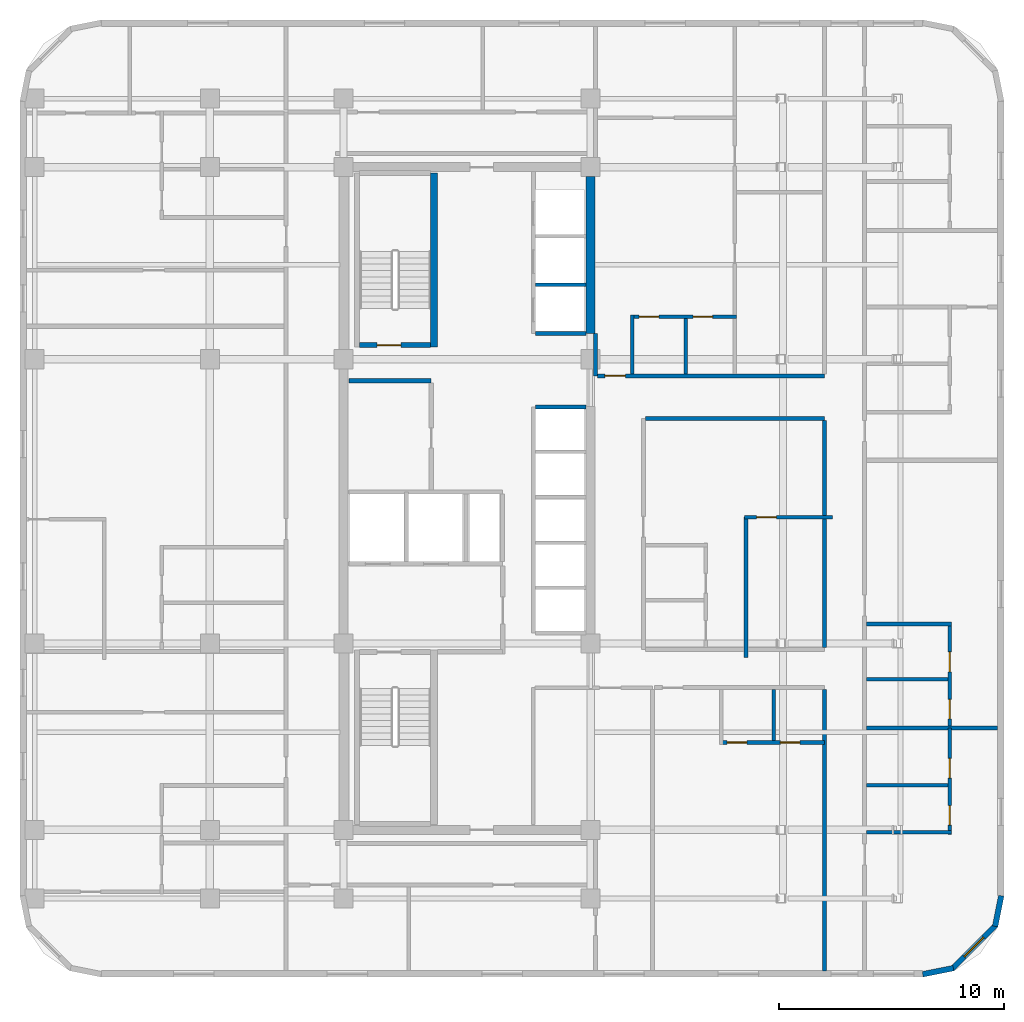
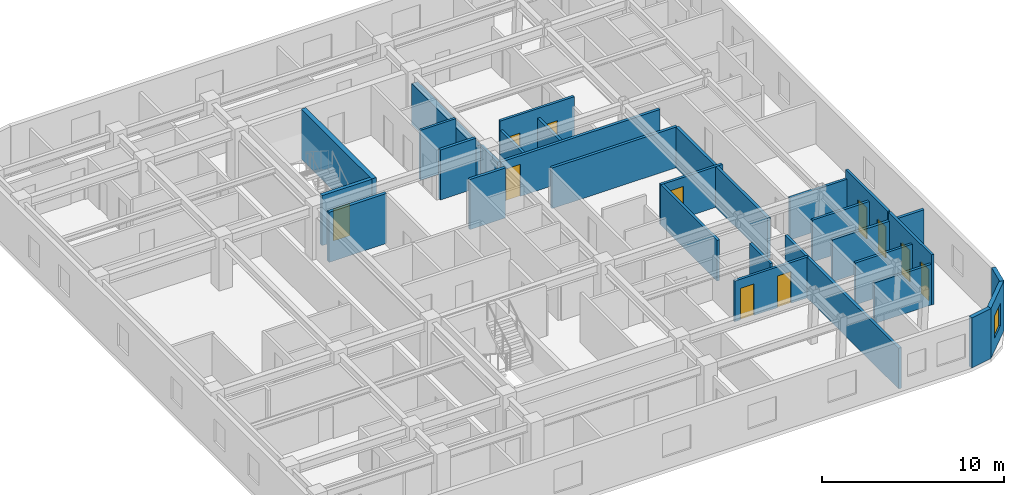
# One storey, part 5 of 9: 29 walls, 11 doors, 1 window, 12 openings.
"""IFC4 building model written with IfcOpenShell, lengths in metres."""

from ifc_helpers import new_model, si_unit, direction, frame, frame_2d, origin, place, context, subcontext, project, spatial, rectangle, extrude, material, layer, layer_set, type_object, element, fill, save


model = new_model("IFC4")

# Units and contexts
model_context = context("Model", 3, precision=1e-05, world=origin(), true_north=direction((0.0, 1.0)))
body_context = subcontext(model_context, "Body", "Model", "MODEL_VIEW")
ifc_project = project(units=[si_unit("LENGTHUNIT", "METRE"), si_unit("AREAUNIT", "SQUARE_METRE"), si_unit("VOLUMEUNIT", "CUBIC_METRE"), si_unit("PLANEANGLEUNIT", "RADIAN"), si_unit("MASSUNIT", "GRAM", prefix="KILO")], contexts=[model_context])

# Site, building, storey
site_placement = place(None, origin())
site = spatial("IfcSite", under=ifc_project, at=site_placement, CompositionType="ELEMENT")
building_placement = place(site_placement, origin())
building = spatial("IfcBuilding", under=site, at=building_placement, Name="Ochreholt Gables", CompositionType="ELEMENT")
storey_placement = place(building_placement, frame((0.0, 0.0, 106.199951171875)))
storey = spatial("IfcBuildingStorey", under=building, at=storey_placement, Name="L27", CompositionType="ELEMENT", Elevation=106.199951171875)

# Walls
ifc_material_1 = material(Name="Concrete 60 MPa", Category="concrete")
ifc_layer_1 = layer(ifc_material_1, 0.39990234375, Name="Concrete 60 MPa")
ifc_layer_set_1 = layer_set([ifc_layer_1], Name="Concrete 60 MPa")
wall_type_1 = type_object("IfcWallType", Name="WALL-CSW-400", PredefinedType="SHEAR", material=ifc_layer_set_1)
wall_1_placement = place(storey_placement, frame((35.199951171875, 31.35009765625, 0.0), z_axis=(0.0, 0.0, 1.0), x_axis=(0.0, 1.0, 0.0)))
element("IfcWall", 1, at=wall_1_placement, inside=storey, type_object=wall_type_1, Name="L27 Core North-East Shear Wall", PredefinedType="SHEAR", context=body_context, shape_type="SweptSolid", body=[
    extrude(rectangle(XDim=6.974853515625, YDim=0.39990234375, at=frame_2d((3.4873046875, 0.0))), origin(), (0.0, 0.0, 1.0), 2.7490234375),
])
ifc_material_2 = material(Name="Precast concrete 40 MPa", Category="concrete")
ifc_layer_2 = layer(ifc_material_2, 0.25, Name="Precast concrete 40 MPa")
ifc_layer_set_2 = layer_set([ifc_layer_2], Name="Precast concrete 40 MPa")
wall_type_2 = type_object("IfcWallType", Name="WALL-EXT-CNR", PredefinedType="SOLIDWALL", material=ifc_layer_set_2)
wall_2_placement = place(storey_placement, frame((49.9833984375, 2.82421875, 0.0), z_axis=(0.0, 0.0, 1.0), x_axis=(0.980809899341, 0.19496651342, 0.0)))
element("IfcWall", 2, at=wall_2_placement, inside=storey, type_object=wall_type_2, Name="L27 Rounded Corner Wall SE-1", PredefinedType="SOLIDWALL", context=body_context, shape_type="SweptSolid", body=[
    extrude(rectangle(XDim=1.388671875, YDim=0.25, at=frame_2d((0.6943359375, 0.0))), origin(), (0.0, 0.0, 1.0), 3.360107421875),
])

# Wall, opening, window
wall_3_placement = place(storey_placement, frame((51.294921875, 3.068115234375, 0.0), z_axis=(0.0, 0.0, 1.0), x_axis=(0.707151344399, 0.707062215165, 0.0)))
wall_3 = element("IfcWall", 3, at=wall_3_placement, inside=storey, type_object=wall_type_2, Name="L27 Rounded Corner Wall SE-2", PredefinedType="SOLIDWALL", context=body_context, shape_type="SweptSolid", body=[
    extrude(rectangle(XDim=2.7392578125, YDim=0.25, at=frame_2d((1.36962890625, 0.0))), origin(), (0.0, 0.0, 1.0), 3.360107421875),
])
opening_1_placement = place(wall_3_placement, frame((0.769775390625, 0.0, 0.85009765625)))
opening_1 = element("IfcOpeningElement", 4, at=opening_1_placement, cuts=wall_3, Name="Opening WN-3", PredefinedType="OPENING", context=body_context, shape_type="SweptSolid", body=[
    extrude(rectangle(XDim=1.199951171875, YDim=1.5, at=frame_2d((0.60009765625, 0.75))), frame((0.0, 0.135009765625, 0.0), z_axis=(0.0, -1.0, 0.0), x_axis=(1.0, 0.0, 0.0)), (0.0, 0.0, 1.0), 0.27001953125),
])
ifc_material_3 = material(Name="Triple-Glazed Thermally Broken Aluminium Window", Category="aluminium")
window_type = type_object("IfcWindowType", Name="WIN-RES-1200", PartitioningType="SINGLE_PANEL", PredefinedType="WINDOW", material=ifc_material_3)
window_placement = place(opening_1_placement, origin())
window = element("IfcWindow", 5, at=window_placement, inside=storey, type_object=window_type, Name="L27 Corner Bedroom Window SE", OverallHeight=1.5, OverallWidth=1.199951171875, PartitioningType="SINGLE_PANEL", PredefinedType="WINDOW", context=body_context, shape_type="SweptSolid", body=[
    extrude(rectangle(XDim=1.199951171875, YDim=1.5, at=frame_2d((0.60009765625, 0.75))), frame((0.0, 0.030029296875, 0.0), z_axis=(0.0, -1.0, 0.0), x_axis=(1.0, 0.0, 0.0)), (0.0, 0.0, 1.0), 0.06005859375),
])
fill(opening_1, window)

# Walls
wall_4_placement = place(storey_placement, frame((53.205078125, 4.95458984375, 0.0), z_axis=(0.0, 0.0, 1.0), x_axis=(0.195000137217, 0.980803214965, 0.0)))
element("IfcWall", 6, at=wall_4_placement, inside=storey, type_object=wall_type_2, Name="L27 Rounded Corner Wall SE-3", PredefinedType="SOLIDWALL", context=body_context, shape_type="SweptSolid", body=[
    extrude(rectangle(XDim=1.388427734375, YDim=0.25, at=frame_2d((0.6943359375, 0.0))), origin(), (0.0, 0.0, 1.0), 3.360107421875),
])
ifc_material_4 = material(Name="Concrete 40 MPa", Category="concrete")
ifc_layer_3 = layer(ifc_material_4, 0.199951171875, Name="Concrete 40 MPa")
ifc_layer_set_3 = layer_set([ifc_layer_3], Name="Concrete 40 MPa")
wall_type_3 = type_object("IfcWallType", Name="WALL-INT-CF200", PredefinedType="STANDARD", material=ifc_layer_set_3)
wall_5_placement = place(storey_placement, frame((24.449951171875, 29.239990234375, 0.0), z_axis=(0.0, 0.0, 1.0), x_axis=(1.0, 0.0, 0.0)))
element("IfcWall", 7, at=wall_5_placement, inside=storey, type_object=wall_type_3, Name="L27 Interior Wall WI-SRVN-L27", PredefinedType="STANDARD", context=body_context, shape_type="SweptSolid", body=[
    extrude(rectangle(XDim=3.650146484375, YDim=0.199951171875, at=frame_2d((1.8251953125, 0.0))), origin(), (0.0, 0.0, 1.0), 3.360107421875),
])
ifc_material_5 = material(Name="Fire-Rated Gypsum Acoustic Partition", Category="gypsum")
ifc_layer_4 = layer(ifc_material_5, 0.179931640625, Name="Fire-Rated Gypsum Acoustic Partition")
ifc_layer_set_4 = layer_set([ifc_layer_4], Name="Fire-Rated Gypsum Acoustic Partition")
wall_type_4 = type_object("IfcWallType", Name="WALL-INT-CR180", PredefinedType="STANDARD", material=ifc_layer_set_4)
wall_6_placement = place(storey_placement, frame((37.639892578125, 27.56005859375, 0.0), z_axis=(0.0, 0.0, 1.0), x_axis=(1.0, 0.0, 0.0)))
element("IfcWall", 8, at=wall_6_placement, inside=storey, type_object=wall_type_4, Name="L27 Interior Wall WI-C2SN1-L27", PredefinedType="STANDARD", context=body_context, shape_type="SweptSolid", body=[
    extrude(rectangle(XDim=7.960205078125, YDim=0.179931640625, at=frame_2d((3.97998046875, 0.0))), origin(), (0.0, 0.0, 1.0), 2.73095703125),
])
wall_7_placement = place(storey_placement, frame((35.419921875, 29.4599609375, 0.0), z_axis=(0.0, 0.0, 1.0), x_axis=(0.0, 1.0, 0.0)))
element("IfcWall", 9, at=wall_7_placement, inside=storey, type_object=wall_type_4, Name="L27 Interior Wall WI-C2NCL-L27", PredefinedType="STANDARD", context=body_context, shape_type="SweptSolid", body=[
    extrude(rectangle(XDim=1.89013671875, YDim=0.179931640625, at=frame_2d((0.945068359375, 0.0))), origin(), (0.0, 0.0, 1.0), 2.73095703125),
])

# Wall, opening, door
wall_8_placement = place(storey_placement, frame((35.510009765625, 29.4599609375, 0.0), z_axis=(0.0, 0.0, 1.0), x_axis=(1.0, 0.0, 0.0)))
wall_8 = element("IfcWall", 10, at=wall_8_placement, inside=storey, type_object=wall_type_4, Name="L27 Interior Wall WI-C2SN2-L27", PredefinedType="STANDARD", context=body_context, shape_type="SweptSolid", body=[
    extrude(rectangle(XDim=10.090087890625, YDim=0.179931640625, at=frame_2d((5.044921875, 0.0))), origin(), (0.0, 0.0, 1.0), 2.73095703125),
])
opening_2_placement = place(wall_8_placement, frame((0.320068359375, 0.0, 0.0)))
opening_2 = element("IfcOpeningElement", 11, at=opening_2_placement, cuts=wall_8, Name="Opening D-UN1", PredefinedType="OPENING", context=body_context, shape_type="SweptSolid", body=[
    extrude(rectangle(XDim=0.919921875, YDim=2.14990234375, at=frame_2d((0.4599609375, 1.074951171875))), frame((0.0, 0.099853515625, 0.0), z_axis=(0.0, -1.0, 0.0), x_axis=(1.0, 0.0, 0.0)), (0.0, 0.0, 1.0), 0.199951171875),
])
ifc_material_6 = material(Name="Engineered Oak Timber", Category="wood")
door_type_1 = type_object("IfcDoorType", Name="DR-INT-UNT920", OperationType="NOTDEFINED", PredefinedType="DOOR", material=ifc_material_6)
door_1_placement = place(opening_2_placement, origin())
door_1 = element("IfcDoor", 12, at=door_1_placement, inside=storey, type_object=door_type_1, Name="L27 Door D-U-L27N1-ENT", OperationType="SINGLE_SWING_LEFT", OverallHeight=2.14990234375, OverallWidth=0.919921875, PredefinedType="DOOR", context=body_context, shape_type="SweptSolid", body=[
    extrude(rectangle(XDim=0.919921875, YDim=2.14990234375, at=frame_2d((0.4599609375, 1.074951171875))), frame((0.0, 0.02490234375, 0.0), z_axis=(0.0, -1.0, 0.0), x_axis=(1.0, 0.0, 0.0)), (0.0, 0.0, 1.0), 0.050048828125),
])
fill(opening_2, door_1)

# Walls
wall_9_placement = place(storey_placement, frame((45.60009765625, 2.97998046875, 0.0), z_axis=(0.0, 0.0, 1.0), x_axis=(0.0, 1.0, 0.0)))
element("IfcWall", 13, at=wall_9_placement, inside=storey, type_object=wall_type_4, Name="L27 Interior Wall WI-C2FEGW1-L27", PredefinedType="STANDARD", context=body_context, shape_type="SweptSolid", body=[
    extrude(rectangle(XDim=12.510009765625, YDim=0.179931640625, at=frame_2d((6.2548828125, 0.0))), origin(), (0.0, 0.0, 1.0), 2.73095703125),
])
wall_10_placement = place(storey_placement, frame((45.60009765625, 17.3701171875, 0.0), z_axis=(0.0, 0.0, 1.0), x_axis=(0.0, 1.0, 0.0)))
element("IfcWall", 14, at=wall_10_placement, inside=storey, type_object=wall_type_4, Name="L27 Interior Wall WI-C2FEGW2-L27", PredefinedType="STANDARD", context=body_context, shape_type="SweptSolid", body=[
    extrude(rectangle(XDim=10.099853515625, YDim=0.179931640625, at=frame_2d((5.0498046875, 0.0))), origin(), (0.0, 0.0, 1.0), 2.73095703125),
])
ifc_material_7 = material(Name="Double-Stud Acoustic Demising Wall", Category="gypsum")
ifc_layer_5 = layer(ifc_material_7, 0.179931640625, Name="Double-Stud Acoustic Demising Wall")
ifc_layer_set_5 = layer_set([ifc_layer_5], Name="Double-Stud Acoustic Demising Wall")
wall_type_5 = type_object("IfcWallType", Name="WALL-INT-DM180", PredefinedType="PARTITIONING", material=ifc_layer_set_5)
wall_11_placement = place(storey_placement, frame((47.489990234375, 13.77587890625, 0.0), z_axis=(0.0, 0.0, 1.0), x_axis=(1.0, 0.0, 0.0)))
element("IfcWall", 15, at=wall_11_placement, inside=storey, type_object=wall_type_5, Name="L27 Interior Wall WI-C2FED2-L27", PredefinedType="PARTITIONING", context=body_context, shape_type="SweptSolid", body=[
    extrude(rectangle(XDim=5.830078125, YDim=0.179931640625, at=frame_2d((2.9150390625, 0.0))), origin(), (0.0, 0.0, 1.0), 2.80908203125),
])

# Wall, openings, doors
ifc_material_8 = material(Name="Moisture-Resistant Plumbing Chase Wall", Category="gypsum")
ifc_layer_6 = layer(ifc_material_8, 0.159912109375, Name="Moisture-Resistant Plumbing Chase Wall")
ifc_layer_set_6 = layer_set([ifc_layer_6], Name="Moisture-Resistant Plumbing Chase Wall")
wall_type_6 = type_object("IfcWallType", Name="WALL-INT-PL160", PredefinedType="PLUMBINGWALL", material=ifc_layer_set_6)
wall_12_placement = place(storey_placement, frame((40.929931640625, 13.139892578125, 0.0), z_axis=(0.0, 0.0, 1.0), x_axis=(1.0, 0.0, 0.0)))
wall_12 = element("IfcWall", 16, at=wall_12_placement, inside=storey, type_object=wall_type_6, Name="L27 Interior Wall WU-L27S1-WY", PredefinedType="PLUMBINGWALL", context=body_context, shape_type="SweptSolid", body=[
    extrude(rectangle(XDim=4.670166015625, YDim=0.159912109375, at=frame_2d((2.3349609375, 0.0))), origin(), (0.0, 0.0, 1.0), 2.73095703125),
])
opening_3_placement = place(wall_12_placement, frame((0.35009765625, 0.0, 0.0)))
opening_3 = element("IfcOpeningElement", 17, at=opening_3_placement, cuts=wall_12, Name="Opening D-GN2", PredefinedType="OPENING", context=body_context, shape_type="SweptSolid", body=[
    extrude(rectangle(XDim=0.8798828125, YDim=2.1201171875, at=frame_2d((0.43994140625, 1.06005859375))), frame((0.0, 0.08984375, 0.0), z_axis=(0.0, -1.0, 0.0), x_axis=(1.0, 0.0, 0.0)), (0.0, 0.0, 1.0), 0.179931640625),
])
opening_4_placement = place(wall_12_placement, frame((2.719970703125, 0.0, 0.0)))
opening_4 = element("IfcOpeningElement", 18, at=opening_4_placement, cuts=wall_12, Name="Opening D-BT1", PredefinedType="OPENING", context=body_context, shape_type="SweptSolid", body=[
    extrude(rectangle(XDim=0.860107421875, YDim=2.1201171875, at=frame_2d((0.43017578125, 1.06005859375))), frame((0.0, 0.08984375, 0.0), z_axis=(0.0, -1.0, 0.0), x_axis=(1.0, 0.0, 0.0)), (0.0, 0.0, 1.0), 0.179931640625),
])
door_type_2 = type_object("IfcDoorType", Name="DR-INT-BTH860", OperationType="NOTDEFINED", PredefinedType="DOOR", material=ifc_material_6)
door_2_placement = place(opening_4_placement, origin())
door_2 = element("IfcDoor", 19, at=door_2_placement, inside=storey, type_object=door_type_2, Name="L27 Door D-U-L27S1-BTH", OperationType="SINGLE_SWING_RIGHT", OverallHeight=2.1201171875, OverallWidth=0.860107421875, PredefinedType="DOOR", context=body_context, shape_type="SweptSolid", body=[
    extrude(rectangle(XDim=0.860107421875, YDim=2.1201171875, at=frame_2d((0.43017578125, 1.06005859375))), frame((0.0, 0.02490234375, 0.0), z_axis=(0.0, -1.0, 0.0), x_axis=(1.0, 0.0, 0.0)), (0.0, 0.0, 1.0), 0.050048828125),
])
fill(opening_4, door_2)
door_type_3 = type_object("IfcDoorType", Name="DR-INT-GEN880", OperationType="NOTDEFINED", PredefinedType="DOOR", material=ifc_material_6)
door_3_placement = place(opening_3_placement, origin())
door_3 = element("IfcDoor", 20, at=door_3_placement, inside=storey, type_object=door_type_3, Name="L27 Door D-U-L27S1-KIT", OperationType="SINGLE_SWING_LEFT", OverallHeight=2.1201171875, OverallWidth=0.8798828125, PredefinedType="DOOR", context=body_context, shape_type="SweptSolid", body=[
    extrude(rectangle(XDim=0.8798828125, YDim=2.1201171875, at=frame_2d((0.43994140625, 1.06005859375))), frame((0.0, 0.02490234375, 0.0), z_axis=(0.0, -1.0, 0.0), x_axis=(1.0, 0.0, 0.0)), (0.0, 0.0, 1.0), 0.050048828125),
])
fill(opening_3, door_3)

# Wall
wall_13_placement = place(storey_placement, frame((43.35009765625, 13.219970703125, 0.0), z_axis=(0.0, 0.0, 1.0), x_axis=(0.0, 1.0, 0.0)))
element("IfcWall", 21, at=wall_13_placement, inside=storey, type_object=wall_type_6, Name="L27 Interior Wall WU-L27S1-WK", PredefinedType="PLUMBINGWALL", context=body_context, shape_type="SweptSolid", body=[
    extrude(rectangle(XDim=2.27001953125, YDim=0.159912109375, at=frame_2d((1.135009765625, 0.0))), origin(), (0.0, 0.0, 1.0), 2.988037109375),
])

# Wall, openings, doors
wall_14_placement = place(storey_placement, frame((36.97998046875, 32.094970703125, 0.0), z_axis=(0.0, 0.0, 1.0), x_axis=(1.0, 0.0, 0.0)))
wall_14 = element("IfcWall", 22, at=wall_14_placement, inside=storey, type_object=wall_type_6, Name="L27 Interior Wall WU-L27N1-WY", PredefinedType="PLUMBINGWALL", context=body_context, shape_type="SweptSolid", body=[
    extrude(rectangle(XDim=4.7099609375, YDim=0.159912109375, at=frame_2d((2.35498046875, 0.0))), origin(), (0.0, 0.0, 1.0), 3.360107421875),
])
opening_5_placement = place(wall_14_placement, frame((0.3798828125, 0.0, 0.0)))
opening_5 = element("IfcOpeningElement", 23, at=opening_5_placement, cuts=wall_14, Name="Opening D-GN2", PredefinedType="OPENING", context=body_context, shape_type="SweptSolid", body=[
    extrude(rectangle(XDim=0.8798828125, YDim=2.1201171875, at=frame_2d((0.43994140625, 1.06005859375))), frame((0.0, 0.08984375, 0.0), z_axis=(0.0, -1.0, 0.0), x_axis=(1.0, 0.0, 0.0)), (0.0, 0.0, 1.0), 0.179931640625),
])
opening_6_placement = place(wall_14_placement, frame((2.785888671875, 0.0, 0.0)))
opening_6 = element("IfcOpeningElement", 24, at=opening_6_placement, cuts=wall_14, Name="Opening D-BT1", PredefinedType="OPENING", context=body_context, shape_type="SweptSolid", body=[
    extrude(rectangle(XDim=0.860107421875, YDim=2.1201171875, at=frame_2d((0.43017578125, 1.06005859375))), frame((0.0, 0.08984375, 0.0), z_axis=(0.0, -1.0, 0.0), x_axis=(1.0, 0.0, 0.0)), (0.0, 0.0, 1.0), 0.179931640625),
])
door_4_placement = place(opening_6_placement, origin())
door_4 = element("IfcDoor", 25, at=door_4_placement, inside=storey, type_object=door_type_2, Name="L27 Door D-U-L27N1-BTH", OperationType="SINGLE_SWING_LEFT", OverallHeight=2.1201171875, OverallWidth=0.860107421875, PredefinedType="DOOR", context=body_context, shape_type="SweptSolid", body=[
    extrude(rectangle(XDim=0.860107421875, YDim=2.1201171875, at=frame_2d((0.43017578125, 1.06005859375))), frame((0.0, 0.02490234375, 0.0), z_axis=(0.0, -1.0, 0.0), x_axis=(1.0, 0.0, 0.0)), (0.0, 0.0, 1.0), 0.050048828125),
])
fill(opening_6, door_4)
door_5_placement = place(opening_5_placement, origin())
door_5 = element("IfcDoor", 26, at=door_5_placement, inside=storey, type_object=door_type_3, Name="L27 Door D-U-L27N1-KIT", OperationType="SINGLE_SWING_RIGHT", OverallHeight=2.1201171875, OverallWidth=0.8798828125, PredefinedType="DOOR", context=body_context, shape_type="SweptSolid", body=[
    extrude(rectangle(XDim=0.8798828125, YDim=2.1201171875, at=frame_2d((0.43994140625, 1.06005859375))), frame((0.0, 0.02490234375, 0.0), z_axis=(0.0, -1.0, 0.0), x_axis=(1.0, 0.0, 0.0)), (0.0, 0.0, 1.0), 0.050048828125),
])
fill(opening_5, door_5)

# Walls
wall_15_placement = place(storey_placement, frame((37.06005859375, 29.550048828125, 0.0), z_axis=(0.0, 0.0, 1.0), x_axis=(0.0, 1.0, 0.0)))
element("IfcWall", 27, at=wall_15_placement, inside=storey, type_object=wall_type_6, Name="L27 Interior Wall WU-L27N1-FY", PredefinedType="PLUMBINGWALL", context=body_context, shape_type="SweptSolid", body=[
    extrude(rectangle(XDim=2.625, YDim=0.159912109375, at=frame_2d((1.3125, 0.0))), origin(), (0.0, 0.0, 1.0), 2.73095703125),
])
wall_16_placement = place(storey_placement, frame((39.426025390625, 29.550048828125, 0.0), z_axis=(0.0, 0.0, 1.0), x_axis=(0.0, 1.0, 0.0)))
element("IfcWall", 28, at=wall_16_placement, inside=storey, type_object=wall_type_6, Name="L27 Interior Wall WU-L27N1-WK", PredefinedType="PLUMBINGWALL", context=body_context, shape_type="SweptSolid", body=[
    extrude(rectangle(XDim=2.46484375, YDim=0.159912109375, at=frame_2d((1.232421875, 0.0))), origin(), (0.0, 0.0, 1.0), 2.73095703125),
])
wall_17_placement = place(storey_placement, frame((47.489990234375, 9.135986328125, 0.0), z_axis=(0.0, 0.0, 1.0), x_axis=(1.0, 0.0, 0.0)))
element("IfcWall", 29, at=wall_17_placement, inside=storey, type_object=wall_type_6, Name="L27 Interior Wall WU-L27FE1-WYS", PredefinedType="PLUMBINGWALL", context=body_context, shape_type="SweptSolid", body=[
    extrude(rectangle(XDim=3.775146484375, YDim=0.159912109375, at=frame_2d((1.8876953125, 0.0))), origin(), (0.0, 0.0, 1.0), 2.73095703125),
])

# Wall, openings, doors
wall_18_placement = place(storey_placement, frame((51.185302734375, 9.0458984375, 0.0), z_axis=(0.0, 0.0, 1.0), x_axis=(0.0, 1.0, 0.0)))
wall_18 = element("IfcWall", 30, at=wall_18_placement, inside=storey, type_object=wall_type_6, Name="L27 Interior Wall WU-L27FE1-WX", PredefinedType="PLUMBINGWALL", context=body_context, shape_type="SweptSolid", body=[
    extrude(rectangle(XDim=4.72998046875, YDim=0.159912109375, at=frame_2d((2.364990234375, 0.0))), origin(), (0.0, 0.0, 1.0), 3.360107421875),
])
opening_7_placement = place(wall_18_placement, frame((0.419921875, 0.0, 0.0)))
opening_7 = element("IfcOpeningElement", 31, at=opening_7_placement, cuts=wall_18, Name="Opening D-BT1", PredefinedType="OPENING", context=body_context, shape_type="SweptSolid", body=[
    extrude(rectangle(XDim=0.860107421875, YDim=2.1201171875, at=frame_2d((0.43017578125, 1.06005859375))), frame((0.0, 0.08984375, 0.0), z_axis=(0.0, -1.0, 0.0), x_axis=(1.0, 0.0, 0.0)), (0.0, 0.0, 1.0), 0.179931640625),
])
opening_8_placement = place(wall_18_placement, frame((2.512939453125, 0.0, 0.0)))
opening_8 = element("IfcOpeningElement", 32, at=opening_8_placement, cuts=wall_18, Name="Opening D-GN2", PredefinedType="OPENING", context=body_context, shape_type="SweptSolid", body=[
    extrude(rectangle(XDim=0.8798828125, YDim=2.1201171875, at=frame_2d((0.43994140625, 1.06005859375))), frame((0.0, 0.08984375, 0.0), z_axis=(0.0, -1.0, 0.0), x_axis=(1.0, 0.0, 0.0)), (0.0, 0.0, 1.0), 0.179931640625),
])
door_6_placement = place(opening_7_placement, origin())
door_6 = element("IfcDoor", 33, at=door_6_placement, inside=storey, type_object=door_type_2, Name="L27 Door D-U-L27FE1-BTH", OperationType="SINGLE_SWING_RIGHT", OverallHeight=2.1201171875, OverallWidth=0.860107421875, PredefinedType="DOOR", context=body_context, shape_type="SweptSolid", body=[
    extrude(rectangle(XDim=0.860107421875, YDim=2.1201171875, at=frame_2d((0.43017578125, 1.06005859375))), frame((0.0, 0.02490234375, 0.0), z_axis=(0.0, -1.0, 0.0), x_axis=(1.0, 0.0, 0.0)), (0.0, 0.0, 1.0), 0.050048828125),
])
fill(opening_7, door_6)
door_7_placement = place(opening_8_placement, origin())
door_7 = element("IfcDoor", 34, at=door_7_placement, inside=storey, type_object=door_type_3, Name="L27 Door D-U-L27FE1-KIT", OperationType="SINGLE_SWING_LEFT", OverallHeight=2.1201171875, OverallWidth=0.8798828125, PredefinedType="DOOR", context=body_context, shape_type="SweptSolid", body=[
    extrude(rectangle(XDim=0.8798828125, YDim=2.1201171875, at=frame_2d((0.43994140625, 1.06005859375))), frame((0.0, 0.02490234375, 0.0), z_axis=(0.0, -1.0, 0.0), x_axis=(1.0, 0.0, 0.0)), (0.0, 0.0, 1.0), 0.050048828125),
])
fill(opening_8, door_7)

# Walls
wall_19_placement = place(storey_placement, frame((47.489990234375, 11.22900390625, 0.0), z_axis=(0.0, 0.0, 1.0), x_axis=(1.0, 0.0, 0.0)))
element("IfcWall", 35, at=wall_19_placement, inside=storey, type_object=wall_type_6, Name="L27 Interior Wall WU-L27FE1-WM", PredefinedType="PLUMBINGWALL", context=body_context, shape_type="SweptSolid", body=[
    extrude(rectangle(XDim=3.615234375, YDim=0.159912109375, at=frame_2d((1.8076171875, 0.0))), origin(), (0.0, 0.0, 1.0), 2.80908203125),
])
wall_20_placement = place(storey_placement, frame((47.489990234375, 18.416015625, 0.0), z_axis=(0.0, 0.0, 1.0), x_axis=(1.0, 0.0, 0.0)))
element("IfcWall", 36, at=wall_20_placement, inside=storey, type_object=wall_type_6, Name="L27 Interior Wall WU-L27FE2-WYN", PredefinedType="PLUMBINGWALL", context=body_context, shape_type="SweptSolid", body=[
    extrude(rectangle(XDim=3.775146484375, YDim=0.159912109375, at=frame_2d((1.8876953125, 0.0))), origin(), (0.0, 0.0, 1.0), 2.80908203125),
])

# Wall, openings, doors
wall_21_placement = place(storey_placement, frame((51.185302734375, 13.865966796875, 0.0), z_axis=(0.0, 0.0, 1.0), x_axis=(0.0, 1.0, 0.0)))
wall_21 = element("IfcWall", 37, at=wall_21_placement, inside=storey, type_object=wall_type_6, Name="L27 Interior Wall WU-L27FE2-WX", PredefinedType="PLUMBINGWALL", context=body_context, shape_type="SweptSolid", body=[
    extrude(rectangle(XDim=4.64013671875, YDim=0.159912109375, at=frame_2d((2.320068359375, 0.0))), origin(), (0.0, 0.0, 1.0), 3.360107421875),
])
opening_9_placement = place(wall_21_placement, frame((0.330078125, 0.0, 0.0)))
opening_9 = element("IfcOpeningElement", 38, at=opening_9_placement, cuts=wall_21, Name="Opening D-BT1", PredefinedType="OPENING", context=body_context, shape_type="SweptSolid", body=[
    extrude(rectangle(XDim=0.860107421875, YDim=2.1201171875, at=frame_2d((0.43017578125, 1.06005859375))), frame((0.0, 0.08984375, 0.0), z_axis=(0.0, -1.0, 0.0), x_axis=(1.0, 0.0, 0.0)), (0.0, 0.0, 1.0), 0.179931640625),
])
opening_10_placement = place(wall_21_placement, frame((2.423095703125, 0.0, 0.0)))
opening_10 = element("IfcOpeningElement", 39, at=opening_10_placement, cuts=wall_21, Name="Opening D-GN2", PredefinedType="OPENING", context=body_context, shape_type="SweptSolid", body=[
    extrude(rectangle(XDim=0.8798828125, YDim=2.1201171875, at=frame_2d((0.43994140625, 1.06005859375))), frame((0.0, 0.08984375, 0.0), z_axis=(0.0, -1.0, 0.0), x_axis=(1.0, 0.0, 0.0)), (0.0, 0.0, 1.0), 0.179931640625),
])
door_8_placement = place(opening_9_placement, origin())
door_8 = element("IfcDoor", 40, at=door_8_placement, inside=storey, type_object=door_type_2, Name="L27 Door D-U-L27FE2-BTH", OperationType="SINGLE_SWING_LEFT", OverallHeight=2.1201171875, OverallWidth=0.860107421875, PredefinedType="DOOR", context=body_context, shape_type="SweptSolid", body=[
    extrude(rectangle(XDim=0.860107421875, YDim=2.1201171875, at=frame_2d((0.43017578125, 1.06005859375))), frame((0.0, 0.02490234375, 0.0), z_axis=(0.0, -1.0, 0.0), x_axis=(1.0, 0.0, 0.0)), (0.0, 0.0, 1.0), 0.050048828125),
])
fill(opening_9, door_8)
door_9_placement = place(opening_10_placement, origin())
door_9 = element("IfcDoor", 41, at=door_9_placement, inside=storey, type_object=door_type_3, Name="L27 Door D-U-L27FE2-KIT", OperationType="SINGLE_SWING_RIGHT", OverallHeight=2.1201171875, OverallWidth=0.8798828125, PredefinedType="DOOR", context=body_context, shape_type="SweptSolid", body=[
    extrude(rectangle(XDim=0.8798828125, YDim=2.1201171875, at=frame_2d((0.43994140625, 1.06005859375))), frame((0.0, 0.02490234375, 0.0), z_axis=(0.0, -1.0, 0.0), x_axis=(1.0, 0.0, 0.0)), (0.0, 0.0, 1.0), 0.050048828125),
])
fill(opening_10, door_9)

# Walls
wall_22_placement = place(storey_placement, frame((47.489990234375, 15.958984375, 0.0), z_axis=(0.0, 0.0, 1.0), x_axis=(1.0, 0.0, 0.0)))
element("IfcWall", 42, at=wall_22_placement, inside=storey, type_object=wall_type_6, Name="L27 Interior Wall WU-L27FE2-WM", PredefinedType="PLUMBINGWALL", context=body_context, shape_type="SweptSolid", body=[
    extrude(rectangle(XDim=3.615234375, YDim=0.159912109375, at=frame_2d((1.8076171875, 0.0))), origin(), (0.0, 0.0, 1.0), 2.80908203125),
])
ifc_material_9 = material(Name="Gypsum Acoustic Stud Partition", Category="gypsum")
ifc_layer_7 = layer(ifc_material_9, 0.1650390625, Name="Gypsum Acoustic Stud Partition")
ifc_layer_set_7 = layer_set([ifc_layer_7], Name="Gypsum Acoustic Stud Partition")
wall_type_7 = type_object("IfcWallType", Name="WALL-INT-PT165", PredefinedType="PARTITIONING", material=ifc_layer_set_7)
wall_23_placement = place(storey_placement, frame((42.117919921875, 16.919921875, 0.0), z_axis=(0.0, 0.0, 1.0), x_axis=(0.0, 1.0, 0.0)))
element("IfcWall", 43, at=wall_23_placement, inside=storey, type_object=wall_type_7, Name="L27 Interior Wall WU-L27M1-STW", PredefinedType="PARTITIONING", context=body_context, shape_type="SweptSolid", body=[
    extrude(rectangle(XDim=6.25, YDim=0.1650390625, at=frame_2d((3.125, 0.0))), origin(), (0.0, 0.0, 1.0), 2.73095703125),
])

# Wall, opening, door
wall_24_placement = place(storey_placement, frame((42.0380859375, 23.169921875, 0.0), z_axis=(0.0, 0.0, 1.0), x_axis=(1.0, 0.0, 0.0)))
wall_24 = element("IfcWall", 44, at=wall_24_placement, inside=storey, type_object=wall_type_7, Name="L27 Interior Wall WU-L27M1-STN", PredefinedType="PARTITIONING", context=body_context, shape_type="SweptSolid", body=[
    extrude(rectangle(XDim=3.921875, YDim=0.1650390625, at=frame_2d((1.9609375, 0.0))), origin(), (0.0, 0.0, 1.0), 2.73095703125),
])
opening_11_placement = place(wall_24_placement, frame((0.550048828125, 0.0, 0.0)))
opening_11 = element("IfcOpeningElement", 45, at=opening_11_placement, cuts=wall_24, Name="Opening D-GN2", PredefinedType="OPENING", context=body_context, shape_type="SweptSolid", body=[
    extrude(rectangle(XDim=0.8798828125, YDim=2.1201171875, at=frame_2d((0.43994140625, 1.06005859375))), frame((0.0, 0.092529296875, 0.0), z_axis=(0.0, -1.0, 0.0), x_axis=(1.0, 0.0, 0.0)), (0.0, 0.0, 1.0), 0.18505859375),
])
door_10_placement = place(opening_11_placement, origin())
door_10 = element("IfcDoor", 46, at=door_10_placement, inside=storey, type_object=door_type_3, Name="L27 Door D-U-L27M1-STD", OperationType="SINGLE_SWING_LEFT", OverallHeight=2.1201171875, OverallWidth=0.8798828125, PredefinedType="DOOR", context=body_context, shape_type="SweptSolid", body=[
    extrude(rectangle(XDim=0.8798828125, YDim=2.1201171875, at=frame_2d((0.43994140625, 1.06005859375))), frame((0.0, 0.02490234375, 0.0), z_axis=(0.0, -1.0, 0.0), x_axis=(1.0, 0.0, 0.0)), (0.0, 0.0, 1.0), 0.050048828125),
])
fill(opening_11, door_10)

# Walls
ifc_material_10 = material(Name="Gypsum Shaftliner and Steel Stud", Category="steel")
ifc_layer_8 = layer(ifc_material_10, 0.14990234375, Name="Gypsum Shaftliner and Steel Stud")
ifc_layer_set_8 = layer_set([ifc_layer_8], Name="Gypsum Shaftliner and Steel Stud")
wall_type_8 = type_object("IfcWallType", Name="WALL-INT-SH150", PredefinedType="STANDARD", material=ifc_layer_set_8)
wall_25_placement = place(storey_placement, frame((32.739990234375, 33.52001953125, 0.0), z_axis=(0.0, 0.0, 1.0), x_axis=(1.0, 0.0, 0.0)))
element("IfcWall", 47, at=wall_25_placement, inside=storey, type_object=wall_type_8, Name="L27 Interior Wall WI-LFM-D1-L27", PredefinedType="STANDARD", context=body_context, shape_type="SweptSolid", body=[
    extrude(rectangle(XDim=2.260009765625, YDim=0.14990234375, at=frame_2d((1.1298828125, 0.0))), origin(), (0.0, 0.0, 1.0), 3.360107421875),
])
ifc_layer_9 = layer(ifc_material_10, 0.179931640625, Name="Gypsum Shaftliner and Steel Stud")
ifc_layer_set_9 = layer_set([ifc_layer_9], Name="Gypsum Shaftliner and Steel Stud")
wall_type_9 = type_object("IfcWallType", Name="WALL-INT-SH180", PredefinedType="STANDARD", material=ifc_layer_set_9)
for number, where, z_axis, x_axis, name in (
    (48, (32.739990234375, 28.080078125, 0.0), (0.0, 0.0, 1.0), (1.0, 0.0, 0.0), "L27 Interior Wall WI-LFHE-N-L27"),
    (49, (32.739990234375, 31.35009765625, 0.0), (0.0, 0.0, 1.0), (1.0, 0.0, 0.0), "L27 Interior Wall WI-LFM-S-L27"),
):
    element("IfcWall", number, at=place(storey_placement, frame(where, z_axis=z_axis, x_axis=x_axis)), inside=storey, type_object=wall_type_9, Name=name, PredefinedType="STANDARD", context=body_context, shape_type="SweptSolid", body=[
        extrude(rectangle(XDim=2.260009765625, YDim=0.179931640625, at=frame_2d((1.1298828125, 0.0))), origin(), (0.0, 0.0, 1.0), 3.360107421875),
    ])
ifc_layer_10 = layer(ifc_material_1, 0.300048828125, Name="Concrete 60 MPa")
ifc_layer_set_10 = layer_set([ifc_layer_10], Name="Concrete 60 MPa")
wall_type_10 = type_object("IfcWallType", Name="WALL-SPN-300", PredefinedType="SHEAR", material=ifc_layer_set_10)
wall_26_placement = place(storey_placement, frame((28.22998046875, 30.739990234375, 0.0), z_axis=(0.0, 0.0, 1.0), x_axis=(0.0, 1.0, 0.0)))
element("IfcWall", 50, at=wall_26_placement, inside=storey, type_object=wall_type_10, Name="L27 Core North Spine Shear Wall", PredefinedType="SHEAR", context=body_context, shape_type="SweptSolid", body=[
    extrude(rectangle(XDim=7.760009765625, YDim=0.300048828125, at=frame_2d((3.8798828125, 0.0))), origin(), (0.0, 0.0, 1.0), 3.360107421875),
])

# Wall, opening, door
ifc_material_11 = material(Name="Concrete 50 MPa", Category="concrete")
ifc_layer_11 = layer(ifc_material_11, 0.219970703125, Name="Concrete 50 MPa")
ifc_layer_set_11 = layer_set([ifc_layer_11], Name="Concrete 50 MPa")
wall_type_11 = type_object("IfcWallType", Name="WALL-STW-220", PredefinedType="SHEAR", material=ifc_layer_set_11)
wall_27_placement = place(storey_placement, frame((24.919921875, 30.830078125, 0.0), z_axis=(0.0, 0.0, 1.0), x_axis=(1.0, 0.0, 0.0)))
wall_27 = element("IfcWall", 51, at=wall_27_placement, inside=storey, type_object=wall_type_11, Name="L27 Exit Stair 2 South Wall", PredefinedType="SHEAR", context=body_context, shape_type="SweptSolid", body=[
    extrude(rectangle(XDim=3.16015625, YDim=0.219970703125, at=frame_2d((1.580078125, 0.0))), origin(), (0.0, 0.0, 1.0), 3.360107421875),
])
opening_12_placement = place(wall_27_placement, frame((0.780029296875, 0.0, 0.0)))
opening_12 = element("IfcOpeningElement", 52, at=opening_12_placement, cuts=wall_27, Name="Opening D-STC", PredefinedType="OPENING", context=body_context, shape_type="SweptSolid", body=[
    extrude(rectangle(XDim=1.050048828125, YDim=2.14990234375, at=frame_2d((0.52490234375, 1.074951171875))), frame((0.0, 0.119873046875, 0.0), z_axis=(0.0, -1.0, 0.0), x_axis=(1.0, 0.0, 0.0)), (0.0, 0.0, 1.0), 0.239990234375),
])
ifc_material_12 = material(Name="Hollow Metal Steel", Category="steel")
door_type_4 = type_object("IfcDoorType", Name="DR-INT-ST1050", OperationType="NOTDEFINED", PredefinedType="DOOR", material=ifc_material_12)
door_11_placement = place(opening_12_placement, origin())
door_11 = element("IfcDoor", 53, at=door_11_placement, inside=storey, type_object=door_type_4, Name="L27 Door D-ST2-L27", OperationType="SINGLE_SWING_RIGHT", OverallHeight=2.14990234375, OverallWidth=1.050048828125, PredefinedType="DOOR", context=body_context, shape_type="SweptSolid", body=[
    extrude(rectangle(XDim=1.050048828125, YDim=2.14990234375, at=frame_2d((0.52490234375, 1.074951171875))), frame((0.0, 0.02490234375, 0.0), z_axis=(0.0, -1.0, 0.0), x_axis=(1.0, 0.0, 0.0)), (0.0, 0.0, 1.0), 0.050048828125),
])
fill(opening_12, door_11)

save(model, "model.ifc")
